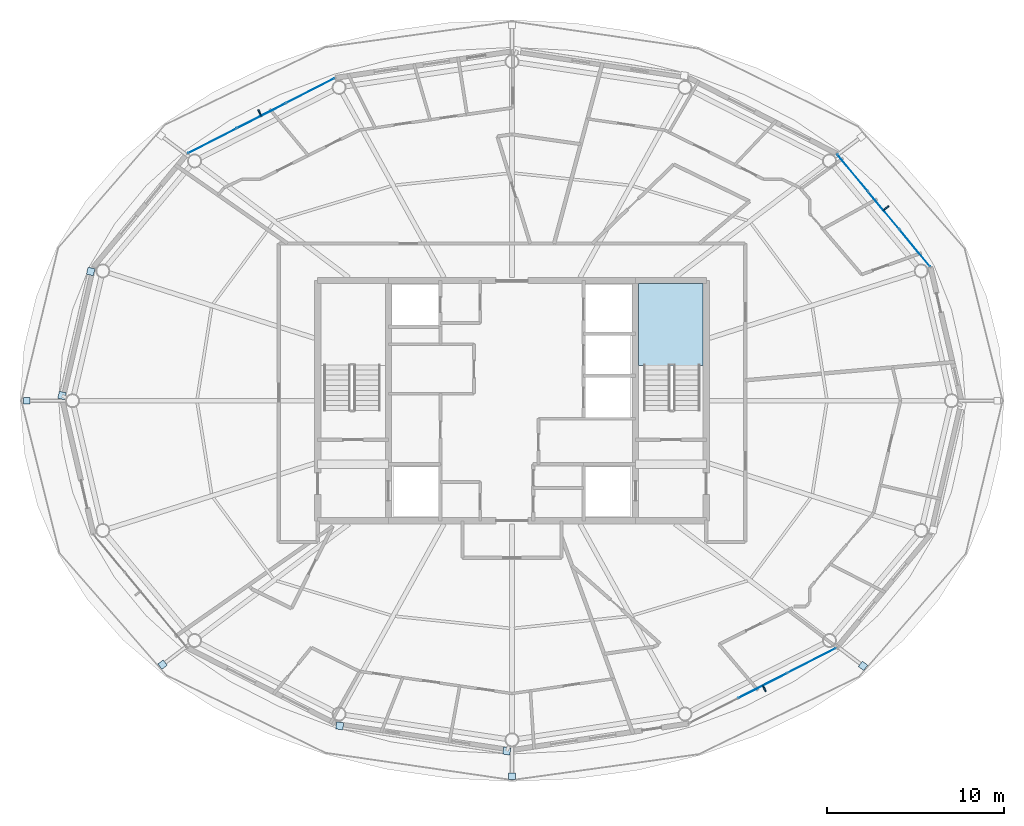
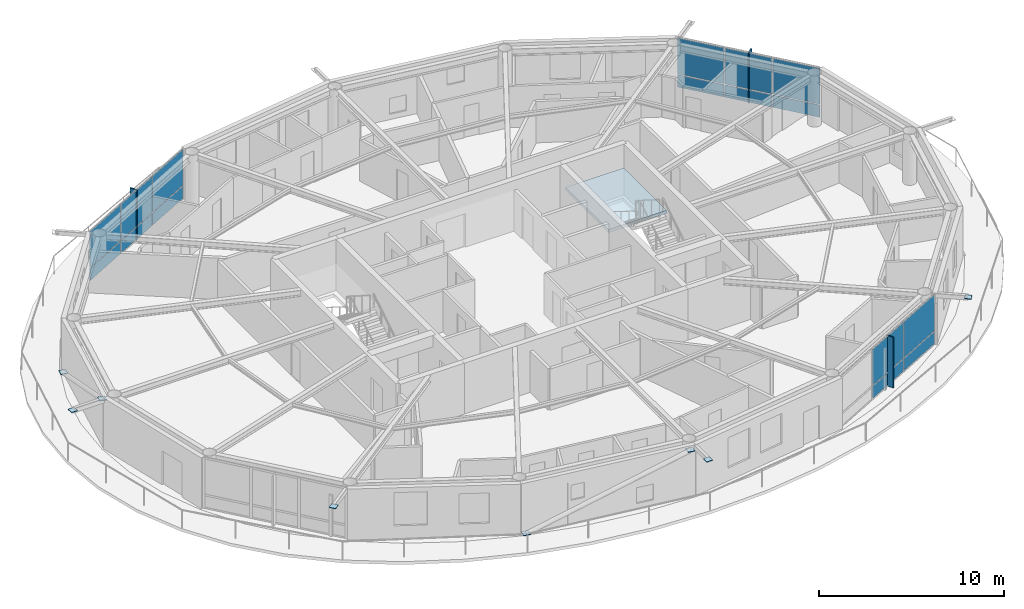
# One storey, part 14 of 23: 27 plates, 1 slab, 4 elements without a shape of their own.
"""IFC4 building model written with IfcOpenShell, lengths in metres."""

from ifc_helpers import new_model, si_unit, direction, frame, origin, origin_2d, place, context, subcontext, project, spatial, polyline, rectangle, outline, extrude, material, layer, layer_set, type_object, element, aggregate, save


model = new_model("IFC4")

# Units and contexts
model_context = context("Model", 3, precision=1e-05, world=origin(), true_north=direction((0.0, 1.0)))
body_context = subcontext(model_context, "Body", "Model", "MODEL_VIEW")
ifc_project = project(units=[si_unit("LENGTHUNIT", "METRE"), si_unit("AREAUNIT", "SQUARE_METRE"), si_unit("VOLUMEUNIT", "CUBIC_METRE"), si_unit("PLANEANGLEUNIT", "RADIAN"), si_unit("MASSUNIT", "GRAM", prefix="KILO")], contexts=[model_context])

# Site, building, storey
site_placement = place(None, origin())
site = spatial("IfcSite", under=ifc_project, at=site_placement, CompositionType="ELEMENT")
building_placement = place(site_placement, origin())
building = spatial("IfcBuilding", under=site, at=building_placement, Name="Sarneth Arch Tower", CompositionType="ELEMENT")
storey_placement = place(building_placement, frame((0.0, 0.0, 273.0)))
storey = spatial("IfcBuildingStorey", under=building, at=storey_placement, Name="L70", CompositionType="ELEMENT", Elevation=273.0)

# Curtain wall, plates
ifc_material_1 = material(Name="Anodised aluminium Type AA25 and solar-control low-e laminated IGU", Category="aluminium")
ifc_layer_1 = layer(ifc_material_1, 0.179931640625)
ifc_layer_set_1 = layer_set([ifc_layer_1], Name="Anodised aluminium Type AA25 and solar-control low-e laminated IGU")
curtain_wall_type = type_object("IfcCurtainWallType", Name="CW-RES-HIGH", PredefinedType="NOTDEFINED", material=ifc_layer_set_1)
curtain_wall_1_placement = place(storey_placement, origin())
curtain_wall_1 = element("IfcCurtainWall", 1, at=curtain_wall_1_placement, inside=storey, type_object=curtain_wall_type, Name="L70 Unitised curtain wall facet 02", PredefinedType="NOTDEFINED")
ifc_material_2 = material(Name="Solar-control low-e laminated IGU", Category="glass")
ifc_layer_2 = layer(ifc_material_2, 0.028076171875)
ifc_layer_set_2 = layer_set([ifc_layer_2], Name="Solar-control low-e laminated IGU")
plate_type_1 = type_object("IfcPlateType", Name="CW-PANEL", PredefinedType="CURTAIN_PANEL", material=ifc_layer_set_2)
plate_1_placement = place(storey_placement, frame((70.799072265625, 50.650634765625, 0.06005859375), z_axis=(0.0, 0.0, 1.0), x_axis=(-0.637610094184, 0.770359245933, 0.0)))
plate_1 = element("IfcPlate", 2, at=plate_1_placement, type_object=plate_type_1, Name="Curtain wall glazed vision pane CW-L70-F02/P00-00", PredefinedType="CURTAIN_PANEL", context=body_context, shape_type="SweptSolid", body=[
    extrude(rectangle(XDim=2.686767578125, YDim=0.028076171875, at=origin_2d()), origin(), (0.0, 0.0, 1.0), 0.81005859375),
])
plate_2_placement = place(storey_placement, frame((70.799072265625, 50.650634765625, 0.93017578125), z_axis=(0.0, 0.0, 1.0), x_axis=(-0.637610094184, 0.770359245933, 0.0)))
plate_2 = element("IfcPlate", 3, at=plate_2_placement, type_object=plate_type_1, Name="Curtain wall glazed vision pane CW-L70-F02/P00-01", PredefinedType="CURTAIN_PANEL", context=body_context, shape_type="SweptSolid", body=[
    extrude(rectangle(XDim=2.686767578125, YDim=0.028076171875, at=origin_2d()), origin(), (0.0, 0.0, 1.0), 2.3798828125),
])
plate_3_placement = place(storey_placement, frame((69.0380859375, 52.778076171875, 0.06005859375), z_axis=(0.0, 0.0, 1.0), x_axis=(-0.637610094184, 0.770359245933, 0.0)))
plate_3 = element("IfcPlate", 4, at=plate_3_placement, type_object=plate_type_1, Name="Curtain wall glazed vision pane CW-L70-F02/P01-00", PredefinedType="CURTAIN_PANEL", context=body_context, shape_type="SweptSolid", body=[
    extrude(rectangle(XDim=2.716552734375, YDim=0.028076171875, at=origin_2d()), origin(), (0.0, 0.0, 1.0), 0.81005859375),
])
plate_4_placement = place(storey_placement, frame((69.0380859375, 52.778076171875, 0.93017578125), z_axis=(0.0, 0.0, 1.0), x_axis=(-0.637610094184, 0.770359245933, 0.0)))
plate_4 = element("IfcPlate", 5, at=plate_4_placement, type_object=plate_type_1, Name="Curtain wall glazed vision pane CW-L70-F02/P01-01", PredefinedType="CURTAIN_PANEL", context=body_context, shape_type="SweptSolid", body=[
    extrude(rectangle(XDim=2.716552734375, YDim=0.028076171875, at=origin_2d()), origin(), (0.0, 0.0, 1.0), 2.3798828125),
])
plate_5_placement = place(storey_placement, frame((67.27734375, 54.905517578125, 0.06005859375), z_axis=(0.0, 0.0, 1.0), x_axis=(-0.637610094184, 0.770359245933, 0.0)))
plate_5 = element("IfcPlate", 6, at=plate_5_placement, type_object=plate_type_1, Name="Curtain wall glazed vision pane CW-L70-F02/P02-00", PredefinedType="CURTAIN_PANEL", context=body_context, shape_type="SweptSolid", body=[
    extrude(rectangle(XDim=2.686767578125, YDim=0.028076171875, at=origin_2d()), origin(), (0.0, 0.0, 1.0), 0.81005859375),
])
plate_6_placement = place(storey_placement, frame((67.27734375, 54.905517578125, 0.93017578125), z_axis=(0.0, 0.0, 1.0), x_axis=(-0.637610094184, 0.770359245933, 0.0)))
plate_6 = element("IfcPlate", 7, at=plate_6_placement, type_object=plate_type_1, Name="Curtain wall glazed vision pane CW-L70-F02/P02-01", PredefinedType="CURTAIN_PANEL", context=body_context, shape_type="SweptSolid", body=[
    extrude(rectangle(XDim=2.686767578125, YDim=0.028076171875, at=origin_2d()), origin(), (0.0, 0.0, 1.0), 2.3798828125),
])
aggregate(curtain_wall_1, [plate_1, plate_2, plate_3, plate_4, plate_5, plate_6])

curtain_wall_2_placement = place(storey_placement, origin())
curtain_wall_2 = element("IfcCurtainWall", 8, at=curtain_wall_2_placement, inside=storey, type_object=curtain_wall_type, Name="L70 Unitised curtain wall facet 06", PredefinedType="NOTDEFINED")
plate_7_placement = place(storey_placement, frame((36.5791015625, 59.552978515625, 0.06005859375), z_axis=(0.0, 0.0, 1.0), x_axis=(-0.890009540525, -0.455941901753, 0.0)))
plate_7 = element("IfcPlate", 9, at=plate_7_placement, type_object=plate_type_1, Name="Curtain wall glazed vision pane CW-L70-F06/P00-00", PredefinedType="CURTAIN_PANEL", context=body_context, shape_type="SweptSolid", body=[
    extrude(rectangle(XDim=3.044677734375, YDim=0.028076171875, at=origin_2d()), origin(), (0.0, 0.0, 1.0), 0.81005859375),
])
plate_8_placement = place(storey_placement, frame((36.5791015625, 59.552978515625, 0.93017578125), z_axis=(0.0, 0.0, 1.0), x_axis=(-0.890009540525, -0.455941901753, 0.0)))
plate_8 = element("IfcPlate", 10, at=plate_8_placement, type_object=plate_type_1, Name="Curtain wall glazed vision pane CW-L70-F06/P00-01", PredefinedType="CURTAIN_PANEL", context=body_context, shape_type="SweptSolid", body=[
    extrude(rectangle(XDim=3.044677734375, YDim=0.028076171875, at=origin_2d()), origin(), (0.0, 0.0, 1.0), 2.3798828125),
])
plate_9_placement = place(storey_placement, frame((33.802490234375, 58.13037109375, 0.06005859375), z_axis=(0.0, 0.0, 1.0), x_axis=(-0.890009540525, -0.455941901753, 0.0)))
plate_9 = element("IfcPlate", 11, at=plate_9_placement, type_object=plate_type_1, Name="Curtain wall glazed vision pane CW-L70-F06/P01-00", PredefinedType="CURTAIN_PANEL", context=body_context, shape_type="SweptSolid", body=[
    extrude(rectangle(XDim=3.07470703125, YDim=0.028076171875, at=origin_2d()), origin(), (0.0, 0.0, 1.0), 0.81005859375),
])
plate_10_placement = place(storey_placement, frame((33.802490234375, 58.13037109375, 0.93017578125), z_axis=(0.0, 0.0, 1.0), x_axis=(-0.890009540525, -0.455941901753, 0.0)))
plate_10 = element("IfcPlate", 12, at=plate_10_placement, type_object=plate_type_1, Name="Curtain wall glazed vision pane CW-L70-F06/P01-01", PredefinedType="CURTAIN_PANEL", context=body_context, shape_type="SweptSolid", body=[
    extrude(rectangle(XDim=3.07470703125, YDim=0.028076171875, at=origin_2d()), origin(), (0.0, 0.0, 1.0), 2.3798828125),
])
plate_11_placement = place(storey_placement, frame((31.02587890625, 56.7080078125, 0.06005859375), z_axis=(0.0, 0.0, 1.0), x_axis=(-0.890009540525, -0.455941901753, 0.0)))
plate_11 = element("IfcPlate", 13, at=plate_11_placement, type_object=plate_type_1, Name="Curtain wall glazed vision pane CW-L70-F06/P02-00", PredefinedType="CURTAIN_PANEL", context=body_context, shape_type="SweptSolid", body=[
    extrude(rectangle(XDim=3.044677734375, YDim=0.028076171875, at=origin_2d()), origin(), (0.0, 0.0, 1.0), 0.81005859375),
])
plate_12_placement = place(storey_placement, frame((31.02587890625, 56.7080078125, 0.93017578125), z_axis=(0.0, 0.0, 1.0), x_axis=(-0.890009540525, -0.455941901753, 0.0)))
plate_12 = element("IfcPlate", 14, at=plate_12_placement, type_object=plate_type_1, Name="Curtain wall glazed vision pane CW-L70-F06/P02-01", PredefinedType="CURTAIN_PANEL", context=body_context, shape_type="SweptSolid", body=[
    extrude(rectangle(XDim=3.044677734375, YDim=0.028076171875, at=origin_2d()), origin(), (0.0, 0.0, 1.0), 2.3798828125),
])
aggregate(curtain_wall_2, [plate_7, plate_8, plate_9, plate_10, plate_11, plate_12])

curtain_wall_3_placement = place(storey_placement, origin())
curtain_wall_3 = element("IfcCurtainWall", 15, at=curtain_wall_3_placement, inside=storey, type_object=curtain_wall_type, Name="L70 Unitised curtain wall facet 14", PredefinedType="NOTDEFINED")
plate_13_placement = place(storey_placement, frame((62.197509765625, 25.86962890625, 0.06005859375), z_axis=(0.0, 0.0, 1.0), x_axis=(0.890009540525, 0.455941901753, 0.0)))
plate_13 = element("IfcPlate", 16, at=plate_13_placement, type_object=plate_type_1, Name="Curtain wall glazed vision pane CW-L70-F14/P01-00", PredefinedType="CURTAIN_PANEL", context=body_context, shape_type="SweptSolid", body=[
    extrude(rectangle(XDim=3.07470703125, YDim=0.028076171875, at=origin_2d()), origin(), (0.0, 0.0, 1.0), 0.81005859375),
])
plate_14_placement = place(storey_placement, frame((62.197509765625, 25.86962890625, 0.93017578125), z_axis=(0.0, 0.0, 1.0), x_axis=(0.890009540525, 0.455941901753, 0.0)))
plate_14 = element("IfcPlate", 17, at=plate_14_placement, type_object=plate_type_1, Name="Curtain wall glazed vision pane CW-L70-F14/P01-01", PredefinedType="CURTAIN_PANEL", context=body_context, shape_type="SweptSolid", body=[
    extrude(rectangle(XDim=3.07470703125, YDim=0.028076171875, at=origin_2d()), origin(), (0.0, 0.0, 1.0), 2.3798828125),
])
plate_15_placement = place(storey_placement, frame((64.97412109375, 27.2919921875, 0.06005859375), z_axis=(0.0, 0.0, 1.0), x_axis=(0.890009540525, 0.455941901753, 0.0)))
plate_15 = element("IfcPlate", 18, at=plate_15_placement, type_object=plate_type_1, Name="Curtain wall glazed vision pane CW-L70-F14/P02-00", PredefinedType="CURTAIN_PANEL", context=body_context, shape_type="SweptSolid", body=[
    extrude(rectangle(XDim=3.044677734375, YDim=0.028076171875, at=origin_2d()), origin(), (0.0, 0.0, 1.0), 0.81005859375),
])
plate_16_placement = place(storey_placement, frame((64.97412109375, 27.2919921875, 0.93017578125), z_axis=(0.0, 0.0, 1.0), x_axis=(0.890009540525, 0.455941901753, 0.0)))
plate_16 = element("IfcPlate", 19, at=plate_16_placement, type_object=plate_type_1, Name="Curtain wall glazed vision pane CW-L70-F14/P02-01", PredefinedType="CURTAIN_PANEL", context=body_context, shape_type="SweptSolid", body=[
    extrude(rectangle(XDim=3.044677734375, YDim=0.028076171875, at=origin_2d()), origin(), (0.0, 0.0, 1.0), 2.3798828125),
])
aggregate(curtain_wall_3, [plate_13, plate_14, plate_15, plate_16])

# Plates
ifc_material_3 = material(Name="Steel S355", Category="steel")
ifc_layer_3 = layer(ifc_material_3, 0.035888671875)
ifc_layer_set_3 = layer_set([ifc_layer_3], Name="Steel S355")
plate_type_2 = type_object("IfcPlateType", Name="PLT-GUSSET-30", PredefinedType="SHEET", material=ifc_layer_set_3)
for number, where, z_axis, x_axis, name in (
    (20, (24.148193359375, 49.3154296875, 0.001953125), (0.0, 0.0, 1.0), (-0.225461202458, -0.974252147129, 0.0), "Steel end cap plate GP-1"),
    (21, (22.5234375, 42.292236328125, 3.07421875), (0.0, 0.0, 1.0), (-0.225461202458, -0.974252147129, 0.0), "Steel end cap plate GP-1"),
):
    element("IfcPlate", number, at=place(storey_placement, frame(where, z_axis=z_axis, x_axis=x_axis)), inside=storey, type_object=plate_type_2, Name=name, PredefinedType="SHEET", context=body_context, shape_type="SweptSolid", body=[
        extrude(rectangle(XDim=0.404052734375, YDim=0.404052734375, at=origin_2d()), origin(), (0.0, 0.0, 1.0), 0.035888671875),
    ])
for number, where, z_axis, x_axis, name in (
    (22, (20.522705078125, 42.0, 3.19189453125), (0.0, 0.0, 1.0), (-1.0, 0.0, 0.0), "Steel end cap plate GP-1"),
    (23, (28.215087890625, 27.056640625, 3.19189453125), (0.0, 0.0, 1.0), (-0.798004853043, -0.602651022168, 0.0), "Steel end cap plate GP-1"),
):
    element("IfcPlate", number, at=place(storey_placement, frame(where, z_axis=z_axis, x_axis=x_axis)), inside=storey, type_object=plate_type_2, Name=name, PredefinedType="SHEET", context=body_context, shape_type="SweptSolid", body=[
        extrude(rectangle(XDim=0.3798828125, YDim=0.3798828125, at=origin_2d()), origin(), (0.0, 0.0, 1.0), 0.035888671875),
    ])
for number, where, z_axis, x_axis, name in (
    (24, (38.245849609375, 23.588623046875, 0.001953125), (0.0, 0.0, 1.0), (0.988860535448, -0.148845024885, 0.0), "Steel end cap plate GP-1"),
    (25, (47.703369140625, 22.16455078125, 3.07421875), (0.0, 0.0, 1.0), (0.988860535448, -0.148845024885, 0.0), "Steel end cap plate GP-1"),
):
    element("IfcPlate", number, at=place(storey_placement, frame(where, z_axis=z_axis, x_axis=x_axis)), inside=storey, type_object=plate_type_2, Name=name, PredefinedType="SHEET", context=body_context, shape_type="SweptSolid", body=[
        extrude(rectangle(XDim=0.404052734375, YDim=0.404052734375, at=origin_2d()), origin(), (0.0, 0.0, 1.0), 0.035888671875),
    ])
for number, where, z_axis, x_axis, name in (
    (26, (48.0, 20.743896484375, 3.19189453125), (0.0, 0.0, 1.0), (0.0, -1.0, 0.0), "Steel end cap plate GP-1"),
    (27, (67.876220703125, 26.98779296875, 3.19189453125), (0.0, 0.0, 1.0), (0.798004853043, -0.602651022168, 0.0), "Steel end cap plate GP-1"),
):
    element("IfcPlate", number, at=place(storey_placement, frame(where, z_axis=z_axis, x_axis=x_axis)), inside=storey, type_object=plate_type_2, Name=name, PredefinedType="SHEET", context=body_context, shape_type="SweptSolid", body=[
        extrude(rectangle(XDim=0.3798828125, YDim=0.3798828125, at=origin_2d()), origin(), (0.0, 0.0, 1.0), 0.035888671875),
    ])
ifc_material_4 = material(Name="Extruded glazed terracotta baguette fin on Aluminium 6063-T6 carrier", Category="masonry")
ifc_layer_4 = layer(ifc_material_4, 0.080078125)
ifc_layer_set_4 = layer_set([ifc_layer_4], Name="Extruded glazed terracotta baguette fin on Aluminium 6063-T6 carrier")
plate_type_3 = type_object("IfcPlateType", Name="SHADE-TERRA-FIN", PredefinedType="SHEET", material=ifc_layer_set_4)
for number, where, z_axis, x_axis, name in (
    (28, (69.169189453125, 52.886474609375, 0.010009765625), (0.0, 0.0, 1.0), (0.770401979567, 0.63755845997, 0.0), "L70 Terracotta vertical shading fin 02"),
    (29, (33.724853515625, 58.28173828125, 0.010009765625), (0.0, 0.0, 1.0), (-0.456010959102, 0.889974159838, 0.0), "L70 Terracotta vertical shading fin 06"),
    (30, (62.275146484375, 25.71826171875, 0.010009765625), (0.0, 0.0, 1.0), (0.456010959102, -0.889974159838, 0.0), "L70 Terracotta vertical shading fin 14"),
):
    element("IfcPlate", number, at=place(storey_placement, frame(where, z_axis=z_axis, x_axis=x_axis)), inside=storey, type_object=plate_type_3, Name=name, PredefinedType="SHEET", context=body_context, shape_type="SweptSolid", body=[
        extrude(rectangle(XDim=0.419921875, YDim=0.080078125, at=origin_2d()), origin(), (0.0, 0.0, 1.0), 3.35009765625),
    ])

# Stair, slab
ifc_material_5 = material(Name="Concrete C50/60", Category="concrete")
stair_type = type_object("IfcStairType", Name="STAIR-CORE-RC", PredefinedType="HALF_TURN_STAIR", material=ifc_material_5)
stair_placement = place(storey_placement, origin())
stair = element("IfcStair", 31, at=stair_placement, inside=storey, type_object=stair_type, Name="L70 Core Exit Stair 2", PredefinedType="HALF_TURN_STAIR")
ifc_material_6 = material(Name="Concrete C50/60", Category="concrete")
ifc_layer_5 = layer(ifc_material_6, 0.199951171875)
ifc_layer_set_5 = layer_set([ifc_layer_5], Name="Concrete C50/60")
slab_type = type_object("IfcSlabType", Name="SLAB-LANDING-200", PredefinedType="LANDING", material=ifc_layer_set_5)
slab_placement = place(storey_placement, frame((0.0, 0.0, 1.60009765625)))
slab = element("IfcSlab", 32, at=slab_placement, type_object=slab_type, Name="ST-2 landing 1", PredefinedType="LANDING", context=body_context, shape_type="SweptSolid", body=[
    extrude(outline(polyline([(55.175048828125, 43.985107421875), (58.824951171875, 43.985107421875), (58.824951171875, 48.625), (55.175048828125, 48.625), (55.175048828125, 43.985107421875)])), origin(), (0.0, 0.0, 1.0), 0.199951171875),
])
aggregate(stair, [slab])

save(model, "model.ifc")
